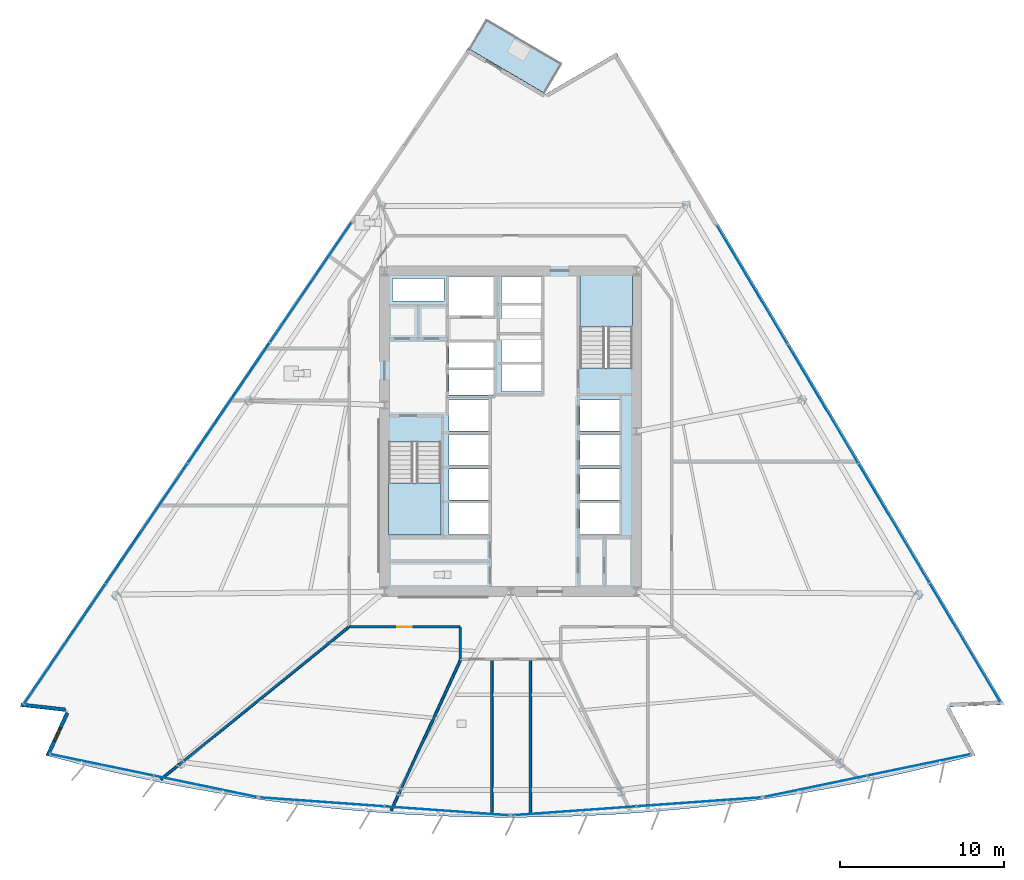
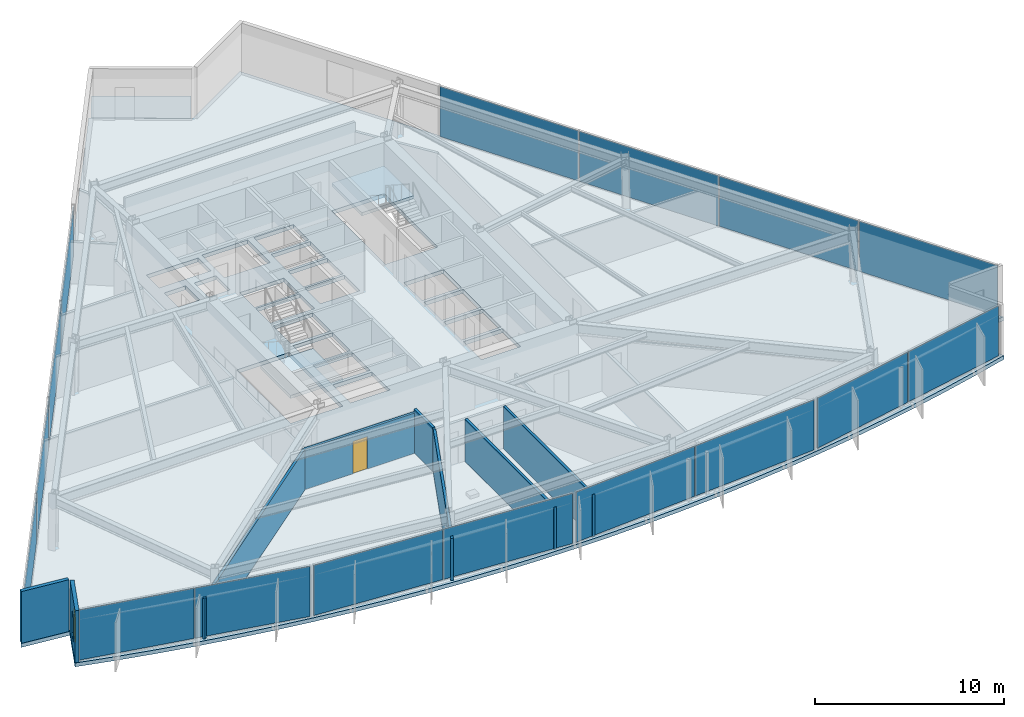
# One storey, part 8 of 18: 16 plates, 8 walls, 4 slabs, 1 door, 1 window, 2 openings, 8 elements without a shape of their own.
"""IFC4 building model written with IfcOpenShell, lengths in metres."""

from ifc_helpers import new_model, si_unit, direction, frame, frame_2d, origin, origin_2d, place, context, subcontext, project, spatial, polyline, rectangle, outline, extrude, material, layer, layer_set, type_object, element, fill, aggregate, save


model = new_model("IFC4")

# Units and contexts
model_context = context("Model", 3, precision=1e-05, world=origin(), true_north=direction((0.0, 1.0)))
body_context = subcontext(model_context, "Body", "Model", "MODEL_VIEW")
ifc_project = project(units=[si_unit("LENGTHUNIT", "METRE"), si_unit("AREAUNIT", "SQUARE_METRE"), si_unit("VOLUMEUNIT", "CUBIC_METRE"), si_unit("PLANEANGLEUNIT", "RADIAN"), si_unit("MASSUNIT", "GRAM", prefix="KILO")], contexts=[model_context])

# Site, building, storey
site_placement = place(None, origin())
site = spatial("IfcSite", under=ifc_project, at=site_placement, CompositionType="ELEMENT")
building_placement = place(site_placement, origin())
building = spatial("IfcBuilding", under=site, at=building_placement, Name="Savorim Split Tower", CompositionType="ELEMENT")
storey_placement = place(building_placement, frame((0.0, 0.0, 37.199951171875)))
storey = spatial("IfcBuildingStorey", under=building, at=storey_placement, Name="L09", CompositionType="ELEMENT", Elevation=37.199951171875)

# Curtain wall, plates
ifc_material_1 = material(Name="Dark Ceramic-Fritted Insulated Glass", Category="glass")
curtain_wall_type = type_object("IfcCurtainWallType", Name="CW-TWR-FRIT-A", PredefinedType="NOTDEFINED", material=ifc_material_1)
curtain_wall_1_placement = place(storey_placement, origin())
curtain_wall_1 = element("IfcCurtainWall", 1, at=curtain_wall_1_placement, inside=storey, type_object=curtain_wall_type, Name="L09 Curtain Wall CW-L09-SF1", PredefinedType="NOTDEFINED")
ifc_layer_1 = layer(ifc_material_1, 0.028076171875)
ifc_layer_set_1 = layer_set([ifc_layer_1], Name="CWP-FRITA-28")
plate_type = type_object("IfcPlateType", Name="CWP-FRITA-28", PredefinedType="CURTAIN_PANEL", material=ifc_layer_set_1)
plate_1_placement = place(storey_placement, frame((-24.96826171875, -19.98974609375, 0.05517578125), z_axis=(0.0, 0.0, 1.0), x_axis=(0.979135110549, -0.203210322793, 0.0)))
plate_1 = element("IfcPlate", 2, at=plate_1_placement, type_object=plate_type, Name="CW-02 panel 1.1", PredefinedType="CURTAIN_PANEL", context=body_context, shape_type="SweptSolid", body=[
    extrude(rectangle(XDim=6.39013671875, YDim=0.028076171875, at=origin_2d()), origin(), (0.0, 0.0, 1.0), 3.239990234375),
])
plate_2_placement = place(storey_placement, frame((-18.647705078125, -21.301513671875, 0.05517578125), z_axis=(0.0, 0.0, 1.0), x_axis=(0.979135110549, -0.203210322793, 0.0)))
plate_2 = element("IfcPlate", 3, at=plate_2_placement, type_object=plate_type, Name="CW-02 panel 2.1", PredefinedType="CURTAIN_PANEL", context=body_context, shape_type="SweptSolid", body=[
    extrude(rectangle(XDim=6.39013671875, YDim=0.028076171875, at=origin_2d()), origin(), (0.0, 0.0, 1.0), 3.239990234375),
])
aggregate(curtain_wall_1, [plate_1, plate_2])

curtain_wall_2_placement = place(storey_placement, origin())
curtain_wall_2 = element("IfcCurtainWall", 4, at=curtain_wall_2_placement, inside=storey, type_object=curtain_wall_type, Name="L09 Curtain Wall CW-L09-SF2", PredefinedType="NOTDEFINED")
plate_3_placement = place(storey_placement, frame((-11.51123046875, -22.25390625, 0.05517578125), z_axis=(0.0, 0.0, 1.0), x_axis=(0.997436282589, -0.071560199658, 0.0)))
plate_3 = element("IfcPlate", 5, at=plate_3_placement, type_object=plate_type, Name="CW-02 panel 1.1", PredefinedType="CURTAIN_PANEL", context=body_context, shape_type="SweptSolid", body=[
    extrude(rectangle(XDim=7.572998046875, YDim=0.028076171875, at=origin_2d()), origin(), (0.0, 0.0, 1.0), 3.239990234375),
])
plate_4_placement = place(storey_placement, frame((-3.892822265625, -22.80029296875, 0.05517578125), z_axis=(0.0, 0.0, 1.0), x_axis=(0.997436282589, -0.071560199658, 0.0)))
plate_4 = element("IfcPlate", 6, at=plate_4_placement, type_object=plate_type, Name="CW-02 panel 2.1", PredefinedType="CURTAIN_PANEL", context=body_context, shape_type="SweptSolid", body=[
    extrude(rectangle(XDim=7.572998046875, YDim=0.028076171875, at=origin_2d()), origin(), (0.0, 0.0, 1.0), 3.239990234375),
])
aggregate(curtain_wall_2, [plate_3, plate_4])

curtain_wall_3_placement = place(storey_placement, origin())
curtain_wall_3 = element("IfcCurtainWall", 7, at=curtain_wall_3_placement, inside=storey, type_object=curtain_wall_type, Name="L09 Curtain Wall CW-L09-SF3", PredefinedType="NOTDEFINED")
plate_5_placement = place(storey_placement, frame((3.892822265625, -22.80029296875, 0.05517578125), z_axis=(0.0, 0.0, 1.0), x_axis=(0.997436282589, 0.071560199658, 0.0)))
plate_5 = element("IfcPlate", 8, at=plate_5_placement, type_object=plate_type, Name="CW-02 panel 1.1", PredefinedType="CURTAIN_PANEL", context=body_context, shape_type="SweptSolid", body=[
    extrude(rectangle(XDim=7.572998046875, YDim=0.028076171875, at=origin_2d()), origin(), (0.0, 0.0, 1.0), 3.239990234375),
])
plate_6_placement = place(storey_placement, frame((11.51123046875, -22.25390625, 0.05517578125), z_axis=(0.0, 0.0, 1.0), x_axis=(0.997436282589, 0.071560199658, 0.0)))
plate_6 = element("IfcPlate", 9, at=plate_6_placement, type_object=plate_type, Name="CW-02 panel 2.1", PredefinedType="CURTAIN_PANEL", context=body_context, shape_type="SweptSolid", body=[
    extrude(rectangle(XDim=7.572998046875, YDim=0.028076171875, at=origin_2d()), origin(), (0.0, 0.0, 1.0), 3.239990234375),
])
aggregate(curtain_wall_3, [plate_5, plate_6])

curtain_wall_4_placement = place(storey_placement, origin())
curtain_wall_4 = element("IfcCurtainWall", 10, at=curtain_wall_4_placement, inside=storey, type_object=curtain_wall_type, Name="L09 Curtain Wall CW-L09-SF4", PredefinedType="NOTDEFINED")
plate_7_placement = place(storey_placement, frame((18.647705078125, -21.301513671875, 0.05517578125), z_axis=(0.0, 0.0, 1.0), x_axis=(0.979135110549, 0.203210322793, 0.0)))
plate_7 = element("IfcPlate", 11, at=plate_7_placement, type_object=plate_type, Name="CW-02 panel 1.1", PredefinedType="CURTAIN_PANEL", context=body_context, shape_type="SweptSolid", body=[
    extrude(rectangle(XDim=6.39013671875, YDim=0.028076171875, at=origin_2d()), origin(), (0.0, 0.0, 1.0), 3.239990234375),
])
plate_8_placement = place(storey_placement, frame((24.96826171875, -19.98974609375, 0.05517578125), z_axis=(0.0, 0.0, 1.0), x_axis=(0.979135110549, 0.203210322793, 0.0)))
plate_8 = element("IfcPlate", 12, at=plate_8_placement, type_object=plate_type, Name="CW-02 panel 2.1", PredefinedType="CURTAIN_PANEL", context=body_context, shape_type="SweptSolid", body=[
    extrude(rectangle(XDim=6.39013671875, YDim=0.028076171875, at=origin_2d()), origin(), (0.0, 0.0, 1.0), 3.239990234375),
])
aggregate(curtain_wall_4, [plate_7, plate_8])

curtain_wall_5_placement = place(storey_placement, origin())
curtain_wall_5 = element("IfcCurtainWall", 13, at=curtain_wall_5_placement, inside=storey, type_object=curtain_wall_type, Name="L09 Curtain Wall CW-L09-EAST", PredefinedType="NOTDEFINED")
plate_9_placement = place(storey_placement, frame((27.76611328125, -12.51416015625, 0.05517578125), z_axis=(0.0, 0.0, 1.0), x_axis=(-0.511092439425, 0.859525752007, 0.0)))
plate_9 = element("IfcPlate", 14, at=plate_9_placement, type_object=plate_type, Name="CW-02 panel 1.1", PredefinedType="CURTAIN_PANEL", context=body_context, shape_type="SweptSolid", body=[
    extrude(rectangle(XDim=8.394775390625, YDim=0.028076171875, at=origin_2d()), origin(), (0.0, 0.0, 1.0), 3.239990234375),
])
plate_10_placement = place(storey_placement, frame((23.43408203125, -5.228759765625, 0.05517578125), z_axis=(0.0, 0.0, 1.0), x_axis=(-0.511092439425, 0.859525752007, 0.0)))
plate_10 = element("IfcPlate", 15, at=plate_10_placement, type_object=plate_type, Name="CW-02 panel 2.1", PredefinedType="CURTAIN_PANEL", context=body_context, shape_type="SweptSolid", body=[
    extrude(rectangle(XDim=8.42724609375, YDim=0.028076171875, at=origin_2d()), origin(), (0.0, 0.0, 1.0), 3.239990234375),
])
plate_11_placement = place(storey_placement, frame((19.093505859375, 2.070556640625, 0.05517578125), z_axis=(0.0, 0.0, 1.0), x_axis=(-0.511092439425, 0.859525752007, 0.0)))
plate_11 = element("IfcPlate", 16, at=plate_11_placement, type_object=plate_type, Name="CW-02 panel 3.1", PredefinedType="CURTAIN_PANEL", context=body_context, shape_type="SweptSolid", body=[
    extrude(rectangle(XDim=8.42724609375, YDim=0.028076171875, at=origin_2d()), origin(), (0.0, 0.0, 1.0), 3.239990234375),
])
plate_12_placement = place(storey_placement, frame((14.761474609375, 9.35595703125, 0.05517578125), z_axis=(0.0, 0.0, 1.0), x_axis=(-0.511092439425, 0.859525752007, 0.0)))
plate_12 = element("IfcPlate", 17, at=plate_12_placement, type_object=plate_type, Name="CW-02 panel 4.1", PredefinedType="CURTAIN_PANEL", context=body_context, shape_type="SweptSolid", body=[
    extrude(rectangle(XDim=8.394775390625, YDim=0.028076171875, at=origin_2d()), origin(), (0.0, 0.0, 1.0), 3.239990234375),
])
aggregate(curtain_wall_5, [plate_9, plate_10, plate_11, plate_12])

curtain_wall_6_placement = place(storey_placement, origin())
curtain_wall_6 = element("IfcCurtainWall", 18, at=curtain_wall_6_placement, inside=storey, type_object=curtain_wall_type, Name="L09 Curtain Wall CW-L09-WEST", PredefinedType="NOTDEFINED")
plate_13_placement = place(storey_placement, frame((-12.20166015625, 9.489990234375, 0.05517578125), z_axis=(0.0, 0.0, 1.0), x_axis=(-0.562465253164, -0.826820923165, 0.0)))
plate_13 = element("IfcPlate", 19, at=plate_13_placement, type_object=plate_type, Name="CW-02 panel 1.1", PredefinedType="CURTAIN_PANEL", context=body_context, shape_type="SweptSolid", body=[
    extrude(rectangle(XDim=8.822265625, YDim=0.028076171875, at=origin_2d()), origin(), (0.0, 0.0, 1.0), 3.239990234375),
])
plate_14_placement = place(storey_placement, frame((-17.20947265625, 2.12841796875, 0.05517578125), z_axis=(0.0, 0.0, 1.0), x_axis=(-0.562465253164, -0.826820923165, 0.0)))
plate_14 = element("IfcPlate", 20, at=plate_14_placement, type_object=plate_type, Name="CW-02 panel 2.1", PredefinedType="CURTAIN_PANEL", context=body_context, shape_type="SweptSolid", body=[
    extrude(rectangle(XDim=8.854736328125, YDim=0.028076171875, at=origin_2d()), origin(), (0.0, 0.0, 1.0), 3.239990234375),
])
plate_15_placement = place(storey_placement, frame((-22.2265625, -5.24658203125, 0.05517578125), z_axis=(0.0, 0.0, 1.0), x_axis=(-0.562465253164, -0.826820923165, 0.0)))
plate_15 = element("IfcPlate", 21, at=plate_15_placement, type_object=plate_type, Name="CW-02 panel 3.1", PredefinedType="CURTAIN_PANEL", context=body_context, shape_type="SweptSolid", body=[
    extrude(rectangle(XDim=8.854736328125, YDim=0.028076171875, at=origin_2d()), origin(), (0.0, 0.0, 1.0), 3.239990234375),
])
plate_16_placement = place(storey_placement, frame((-27.234375, -12.608154296875, 0.05517578125), z_axis=(0.0, 0.0, 1.0), x_axis=(-0.562465253164, -0.826820923165, 0.0)))
plate_16 = element("IfcPlate", 22, at=plate_16_placement, type_object=plate_type, Name="CW-02 panel 4.1", PredefinedType="CURTAIN_PANEL", context=body_context, shape_type="SweptSolid", body=[
    extrude(rectangle(XDim=8.822265625, YDim=0.028076171875, at=origin_2d()), origin(), (0.0, 0.0, 1.0), 3.239990234375),
])
aggregate(curtain_wall_6, [plate_13, plate_14, plate_15, plate_16])

# Slab
ifc_material_2 = material(Name="Concrete C50/60", Category="concrete")
ifc_layer_2 = layer(ifc_material_2, 0.219970703125)
ifc_layer_set_2 = layer_set([ifc_layer_2], Name="SLB-BAL-220")
slab_type_1 = type_object("IfcSlabType", Name="SLB-BAL-220", PredefinedType="FLOOR", material=ifc_layer_set_2)
slab_1_placement = place(storey_placement, frame((0.0, 0.0, -0.219970703125)))
element("IfcSlab", 23, at=slab_1_placement, inside=storey, type_object=slab_type_1, Name="L09 Notched Corner Planted Tree Balcony Slab", PredefinedType="FLOOR", context=body_context, shape_type="SweptSolid", body=[
    extrude(outline(polyline([(-2.50244140625, 23.74853515625), (2.049072265625, 21.073486328125), (3.085205078125, 22.836669921875), (-1.46630859375, 25.51171875), (-2.50244140625, 23.74853515625)])), origin(), (0.0, 0.0, 1.0), 0.219970703125),
])

# Stair, slab
stair_type = type_object("IfcStairType", Name="STR-DOG-3600", PredefinedType="HALF_TURN_STAIR", material=ifc_material_2)
stair_1_placement = place(storey_placement, origin())
stair_1 = element("IfcStair", 24, at=stair_1_placement, inside=storey, type_object=stair_type, Name="L09 Core Protected Exit Stair ST-1", PredefinedType="HALF_TURN_STAIR")
ifc_layer_3 = layer(ifc_material_2, 0.199951171875)
ifc_layer_set_3 = layer_set([ifc_layer_3], Name="SLB-LND-200")
slab_type_2 = type_object("IfcSlabType", Name="SLB-LND-200", PredefinedType="LANDING", material=ifc_layer_set_3)
slab_2_placement = place(storey_placement, frame((0.0, 0.0, 1.60009765625)))
slab_2 = element("IfcSlab", 25, at=slab_2_placement, type_object=slab_type_2, Name="ST-1 landing 1", PredefinedType="LANDING", context=body_context, shape_type="SweptSolid", body=[
    extrude(outline(polyline([(-7.449951171875, -2.77001953125), (-7.449951171875, -5.949951171875), (-4.25, -5.949951171875), (-4.25, -2.77001953125), (-7.449951171875, -2.77001953125)])), origin(), (0.0, 0.0, 1.0), 0.199951171875),
])
aggregate(stair_1, [slab_2])

stair_2_placement = place(storey_placement, origin())
stair_2 = element("IfcStair", 26, at=stair_2_placement, inside=storey, type_object=stair_type, Name="L09 Core Protected Exit Stair ST-2", PredefinedType="HALF_TURN_STAIR")
slab_3_placement = place(storey_placement, frame((0.0, 0.0, 1.60009765625)))
slab_3 = element("IfcSlab", 27, at=slab_3_placement, type_object=slab_type_2, Name="ST-2 landing 1", PredefinedType="LANDING", context=body_context, shape_type="SweptSolid", body=[
    extrude(outline(polyline([(7.449951171875, 6.77001953125), (7.449951171875, 9.949951171875), (4.25, 9.949951171875), (4.25, 6.77001953125), (7.449951171875, 6.77001953125)])), origin(), (0.0, 0.0, 1.0), 0.199951171875),
])
aggregate(stair_2, [slab_3])

# Slab
ifc_layer_4 = layer(ifc_material_2, 0.25)
ifc_layer_set_4 = layer_set([ifc_layer_4], Name="SLB-TWR-250")
slab_type_3 = type_object("IfcSlabType", Name="SLB-TWR-250", PredefinedType="FLOOR", material=ifc_layer_set_4)
slab_4_placement = place(storey_placement, frame((0.0, 0.0, -0.25)))
element("IfcSlab", 28, at=slab_4_placement, inside=storey, type_object=slab_type_3, Name="L09 Structural Floor Slab", PredefinedType="FLOOR", context=body_context, shape_type="SweptSolid", body=[
    extrude(outline(polyline([(-28.39990234375, -19.39990234375), (-26.261474609375, -19.959228515625), (-24.11181640625, -20.474609375), (-21.951904296875, -20.946044921875), (-19.783203125, -21.373046875), (-17.60595703125, -21.755615234375), (-15.42138671875, -22.093505859375), (-13.230224609375, -22.38671875), (-11.03369140625, -22.635009765625), (-8.83251953125, -22.83837890625), (-6.627685546875, -22.99658203125), (-4.419921875, -23.109619140625), (-2.21044921875, -23.177490234375), (0.0, -23.199951171875), (2.21044921875, -23.177490234375), (4.419921875, -23.109619140625), (6.627685546875, -22.99658203125), (8.83251953125, -22.83837890625), (11.03369140625, -22.635009765625), (13.230224609375, -22.38671875), (15.42138671875, -22.093505859375), (17.60595703125, -21.755615234375), (19.783203125, -21.373046875), (21.951904296875, -20.946044921875), (24.11181640625, -20.474609375), (26.261474609375, -19.959228515625), (28.39990234375, -19.39990234375), (26.81591796875, -16.447998046875), (30.16015625, -16.3056640625), (6.473876953125, 23.5283203125), (2.14990234375, 21.00830078125), (-2.6083984375, 23.80517578125), (-29.97509765625, -16.423583984375), (-27.176025390625, -16.736083984375), (-28.39990234375, -19.39990234375)]), holes=[polyline([(-7.449951171875, -0.25390625), (-7.449951171875, -5.949951171875), (-4.25, -5.949951171875), (-4.25, -0.25390625), (-7.449951171875, -0.25390625)]), polyline([(7.449951171875, 4.25390625), (7.449951171875, 9.949951171875), (4.25, 9.949951171875), (4.25, 4.25390625), (7.449951171875, 4.25390625)]), polyline([(4.25, -5.89990234375), (6.64990234375, -5.89990234375), (6.64990234375, -4.0), (4.25, -4.0), (4.25, -5.89990234375)]), polyline([(4.25, -3.800048828125), (6.64990234375, -3.800048828125), (6.64990234375, -1.89990234375), (4.25, -1.89990234375), (4.25, -3.800048828125)]), polyline([(4.25, -1.699951171875), (6.64990234375, -1.699951171875), (6.64990234375, 0.199951171875), (4.25, 0.199951171875), (4.25, -1.699951171875)]), polyline([(4.25, 0.39990234375), (6.64990234375, 0.39990234375), (6.64990234375, 2.300048828125), (4.25, 2.300048828125), (4.25, 0.39990234375)]), polyline([(-3.75, -5.89990234375), (-1.35009765625, -5.89990234375), (-1.35009765625, -4.0), (-3.75, -4.0), (-3.75, -5.89990234375)]), polyline([(-3.75, -3.800048828125), (-1.35009765625, -3.800048828125), (-1.35009765625, -1.89990234375), (-3.75, -1.89990234375), (-3.75, -3.800048828125)]), polyline([(-3.75, -1.699951171875), (-1.35009765625, -1.699951171875), (-1.35009765625, 0.199951171875), (-3.75, 0.199951171875), (-3.75, -1.699951171875)]), polyline([(-3.75, 0.39990234375), (-1.35009765625, 0.39990234375), (-1.35009765625, 2.300048828125), (-3.75, 2.300048828125), (-3.75, 0.39990234375)]), polyline([(-0.550048828125, 2.830078125), (1.85009765625, 2.830078125), (1.85009765625, 4.469970703125), (-0.550048828125, 4.469970703125), (-0.550048828125, 2.830078125)]), polyline([(-0.550048828125, 4.6298828125), (1.85009765625, 4.6298828125), (1.85009765625, 6.27001953125), (-0.550048828125, 6.27001953125), (-0.550048828125, 4.6298828125)]), polyline([(-0.550048828125, 6.429931640625), (1.85009765625, 6.429931640625), (1.85009765625, 8.070068359375), (-0.550048828125, 8.070068359375), (-0.550048828125, 6.429931640625)]), polyline([(-0.550048828125, 8.22998046875), (1.85009765625, 8.22998046875), (1.85009765625, 9.8701171875), (-0.550048828125, 9.8701171875), (-0.550048828125, 8.22998046875)]), polyline([(-3.75, 2.60009765625), (-1.050048828125, 2.60009765625), (-1.050048828125, 4.159912109375), (-3.75, 4.159912109375), (-3.75, 2.60009765625)]), polyline([(-3.75, 4.280029296875), (-1.050048828125, 4.280029296875), (-1.050048828125, 5.840087890625), (-3.75, 5.840087890625), (-3.75, 4.280029296875)]), polyline([(-3.75, 7.449951171875), (-0.949951171875, 7.449951171875), (-0.949951171875, 9.85009765625), (-3.75, 9.85009765625), (-3.75, 7.449951171875)]), polyline([(-7.219970703125, 6.320068359375), (-5.919921875, 6.320068359375), (-5.919921875, 7.820068359375), (-7.219970703125, 7.820068359375), (-7.219970703125, 6.320068359375)]), polyline([(-5.3798828125, 6.320068359375), (-4.050048828125, 6.320068359375), (-4.050048828125, 7.820068359375), (-5.3798828125, 7.820068359375), (-5.3798828125, 6.320068359375)]), polyline([(-7.219970703125, 8.360107421875), (-4.050048828125, 8.360107421875), (-4.050048828125, 9.719970703125), (-7.219970703125, 9.719970703125), (-7.219970703125, 8.360107421875)])]), origin(), (0.0, 0.0, 1.0), 0.25),
])

# Wall
ifc_material_3 = material(Name="Precast concrete C40/50", Category="concrete")
ifc_layer_5 = layer(ifc_material_3, 0.219970703125)
ifc_layer_set_5 = layer_set([ifc_layer_5], Name="WAL-EXT-CRN220")
wall_type_1 = type_object("IfcWallType", Name="WAL-EXT-CRN220", PredefinedType="SOLIDWALL", material=ifc_layer_set_5)
wall_1_placement = place(storey_placement, frame((-27.202392578125, -16.6123046875, 0.0), z_axis=(0.0, 0.0, 1.0), x_axis=(-0.993822658088, 0.110979837223, 0.0)))
element("IfcWall", 29, at=wall_1_placement, inside=storey, type_object=wall_type_1, Name="L09 Notched Corner Facade Wall SW1", PredefinedType="SOLIDWALL", context=body_context, shape_type="SweptSolid", body=[
    extrude(rectangle(XDim=2.736572265625, YDim=0.219970703125, at=frame_2d((1.3681640625, 0.0))), origin(), (0.0, 0.0, 1.0), 3.35009765625),
])

# Wall, opening, window
wall_2_placement = place(storey_placement, frame((-28.2744140625, -19.413818359375, 0.0), z_axis=(0.0, 0.0, 1.0), x_axis=(0.417521186742, 0.908667188041, 0.0)))
wall_2 = element("IfcWall", 30, at=wall_2_placement, inside=storey, type_object=wall_type_1, Name="L09 Notched Corner Facade Wall SW", PredefinedType="SOLIDWALL", context=body_context, shape_type="SweptSolid", body=[
    extrude(rectangle(XDim=2.851806640625, YDim=0.219970703125, at=frame_2d((1.42578125, 0.0))), origin(), (0.0, 0.0, 1.0), 3.35009765625),
])
opening_1_placement = place(wall_2_placement, frame((0.975830078125, 0.0, 0.6201171875)))
opening_1 = element("IfcOpeningElement", 31, at=opening_1_placement, cuts=wall_2, Name="Opening WN-10", PredefinedType="OPENING", context=body_context, shape_type="SweptSolid", body=[
    extrude(rectangle(XDim=0.89990234375, YDim=1.60009765625, at=frame_2d((0.449951171875, 0.800048828125))), frame((0.0, 0.119873046875, 0.0), z_axis=(0.0, -1.0, 0.0), x_axis=(1.0, 0.0, 0.0)), (0.0, 0.0, 1.0), 0.239990234375),
])
ifc_material_4 = material(Name="Low-E Operable Double Glazing", Category="glass")
window_type = type_object("IfcWindowType", Name="WIN-TWR-900x1600", PartitioningType="SINGLE_PANEL", PredefinedType="WINDOW", material=ifc_material_4)
window_placement = place(opening_1_placement, origin())
window = element("IfcWindow", 32, at=window_placement, inside=storey, type_object=window_type, Name="L09 Operable Corner Window SW", OverallHeight=1.60009765625, OverallWidth=0.89990234375, PartitioningType="SINGLE_PANEL", PredefinedType="WINDOW", context=body_context, shape_type="SweptSolid", body=[
    extrude(rectangle(XDim=0.89990234375, YDim=1.60009765625, at=frame_2d((0.449951171875, 0.800048828125))), frame((0.0, 0.030029296875, 0.0), z_axis=(0.0, -1.0, 0.0), x_axis=(1.0, 0.0, 0.0)), (0.0, 0.0, 1.0), 0.06005859375),
])
fill(opening_1, window)

# Wall
ifc_material_5 = material(Name="Acoustic Gypsum Partition Board")
ifc_layer_6 = layer(ifc_material_5, 0.14990234375)
ifc_layer_set_6 = layer_set([ifc_layer_6], Name="WAL-PAR-150")
wall_type_2 = type_object("IfcWallType", Name="WAL-PAR-150", PredefinedType="PARTITIONING", material=ifc_layer_set_6)
wall_3_placement = place(storey_placement, frame((-3.080078125, -13.530029296875, 0.0), z_axis=(0.0, 0.0, 1.0), x_axis=(0.0, 1.0, 0.0)))
element("IfcWall", 33, at=wall_3_placement, inside=storey, type_object=wall_type_2, Name="L09 Partition W-L09-COR-09", PredefinedType="PARTITIONING", context=body_context, shape_type="SweptSolid", body=[
    extrude(rectangle(XDim=1.969970703125, YDim=0.14990234375, at=frame_2d((0.98486328125, 0.0))), origin(), (0.0, 0.0, 1.0), 2.824951171875),
])

# Wall, opening, door
wall_4_placement = place(storey_placement, frame((-3.080078125, -11.56005859375, 0.0), z_axis=(0.0, 0.0, 1.0), x_axis=(-1.0, 0.0, 0.0)))
wall_4 = element("IfcWall", 34, at=wall_4_placement, inside=storey, type_object=wall_type_2, Name="L09 Partition W-L09-COR-10", PredefinedType="PARTITIONING", context=body_context, shape_type="SweptSolid", body=[
    extrude(rectangle(XDim=6.780029296875, YDim=0.14990234375, at=frame_2d((3.39013671875, 0.0))), origin(), (0.0, 0.0, 1.0), 2.609130859375),
])
opening_2_placement = place(wall_4_placement, frame((2.93994140625, 0.0, 0.0)))
opening_2 = element("IfcOpeningElement", 35, at=opening_2_placement, cuts=wall_4, Name="Opening DI-06", PredefinedType="OPENING", context=body_context, shape_type="SweptSolid", body=[
    extrude(rectangle(XDim=0.89990234375, YDim=2.10009765625, at=frame_2d((0.449951171875, 1.050048828125))), frame((0.0, 0.0849609375, 0.0), z_axis=(0.0, -1.0, 0.0), x_axis=(1.0, 0.0, 0.0)), (0.0, 0.0, 1.0), 0.169921875),
])
ifc_material_6 = material(Name="Timber Fire Door Leaf", Category="wood")
door_type = type_object("IfcDoorType", Name="DOR-FIR-900", OperationType="NOTDEFINED", PredefinedType="DOOR", material=ifc_material_6)
door_placement = place(opening_2_placement, origin())
door = element("IfcDoor", 36, at=door_placement, inside=storey, type_object=door_type, Name="DR-L09-RM03 - L09 Co-Working Commons Entry Door", OperationType="SINGLE_SWING_RIGHT", OverallHeight=2.10009765625, OverallWidth=0.89990234375, PredefinedType="DOOR", context=body_context, shape_type="SweptSolid", body=[
    extrude(rectangle(XDim=0.89990234375, YDim=2.10009765625, at=frame_2d((0.449951171875, 1.050048828125))), frame((0.0, 0.02490234375, 0.0), z_axis=(0.0, -1.0, 0.0), x_axis=(1.0, 0.0, 0.0)), (0.0, 0.0, 1.0), 0.050048828125),
])
fill(opening_2, door)

# Walls
wall_5_placement = place(storey_placement, frame((-9.88818359375, -11.568603515625, 0.0), z_axis=(0.0, 0.0, 1.0), x_axis=(-0.776684167017, -0.629890232267, 0.0)))
element("IfcWall", 37, at=wall_5_placement, inside=storey, type_object=wall_type_2, Name="L09 Partition W-L09-PRAD01", PredefinedType="PARTITIONING", context=body_context, shape_type="SweptSolid", body=[
    extrude(rectangle(XDim=14.7919921875, YDim=0.14990234375, at=frame_2d((7.39599609375, 0.0))), origin(), (0.0, 0.0, 1.0), 2.609130859375),
])
wall_6_placement = place(storey_placement, frame((-3.053466796875, -13.5791015625, 0.0), z_axis=(0.0, 0.0, 1.0), x_axis=(-0.418565952327, -0.908186403528, 0.0)))
element("IfcWall", 38, at=wall_6_placement, inside=storey, type_object=wall_type_2, Name="L09 Partition W-L09-PRAD02", PredefinedType="PARTITIONING", context=body_context, shape_type="SweptSolid", body=[
    extrude(rectangle(XDim=10.129150390625, YDim=0.14990234375, at=frame_2d((5.064453125, 0.0))), origin(), (0.0, 0.0, 1.0), 2.72509765625),
])
wall_7_placement = place(storey_placement, frame((-1.137451171875, -13.590087890625, 0.0), z_axis=(0.0, 0.0, 1.0), x_axis=(0.0, -1.0, 0.0)))
element("IfcWall", 39, at=wall_7_placement, inside=storey, type_object=wall_type_2, Name="L09 Partition W-L09-SUB01", PredefinedType="PARTITIONING", context=body_context, shape_type="SweptSolid", body=[
    extrude(rectangle(XDim=9.42822265625, YDim=0.14990234375, at=frame_2d((4.714111328125, 0.0))), origin(), (0.0, 0.0, 1.0), 2.735107421875),
])
wall_8_placement = place(storey_placement, frame((1.216552734375, -13.590087890625, 0.0), z_axis=(0.0, 0.0, 1.0), x_axis=(0.0, -1.0, 0.0)))
element("IfcWall", 40, at=wall_8_placement, inside=storey, type_object=wall_type_2, Name="L09 Partition W-L09-SUB04", PredefinedType="PARTITIONING", context=body_context, shape_type="SweptSolid", body=[
    extrude(rectangle(XDim=9.427490234375, YDim=0.14990234375, at=frame_2d((4.7138671875, 0.0))), origin(), (0.0, 0.0, 1.0), 2.735107421875),
])

save(model, "model.ifc")
